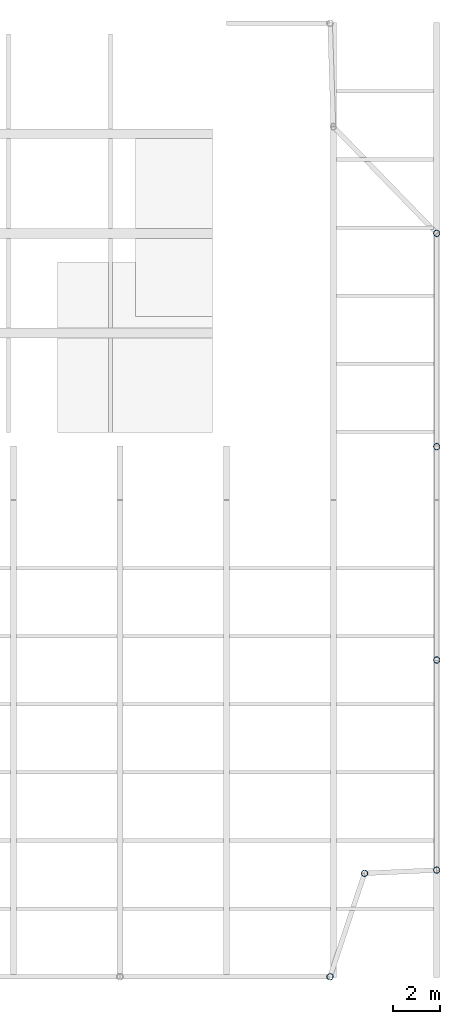
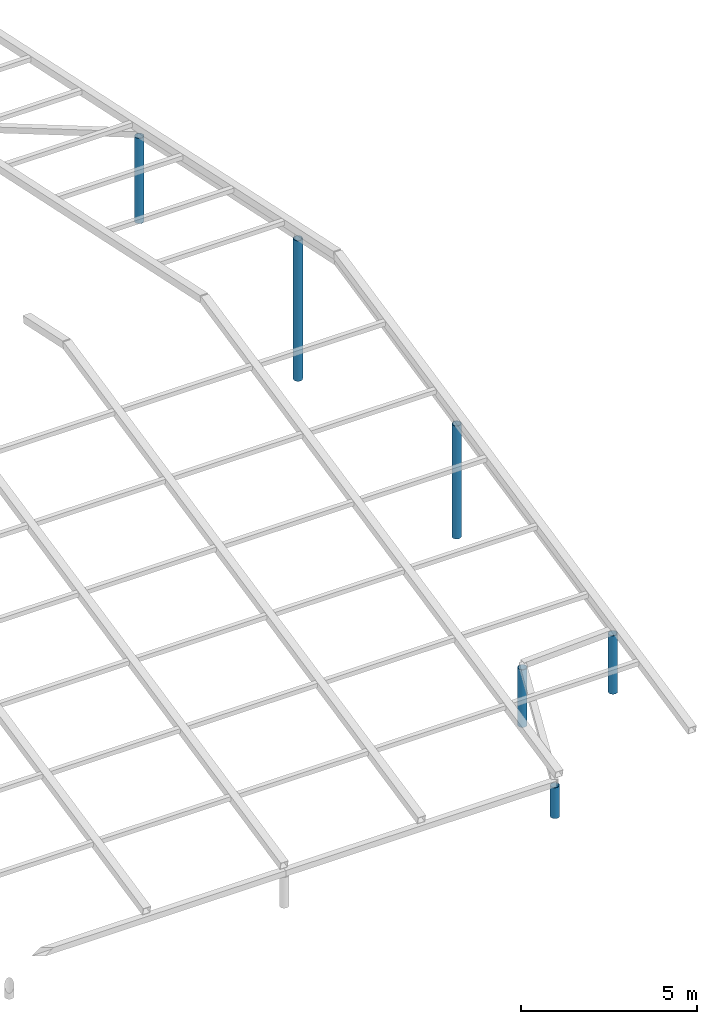
# One storey, part 3 of 7: 6 columns.
"""IFC4 building model written with IfcOpenShell, lengths in metres."""

from ifc_helpers import new_model, si_unit, direction, frame, origin, origin_2d, place, context, subcontext, project, spatial, hollow_circle, extrude, material, material_profile, profile_set, type_object, element, save


model = new_model("IFC4")

# Units and contexts
model_context = context("Model", 3, precision=1e-05, world=origin(), true_north=direction((0.0, 1.0)))
body_context = subcontext(model_context, "Body", "Model", "MODEL_VIEW")
ifc_project = project(units=[si_unit("LENGTHUNIT", "METRE"), si_unit("AREAUNIT", "SQUARE_METRE"), si_unit("VOLUMEUNIT", "CUBIC_METRE"), si_unit("PLANEANGLEUNIT", "RADIAN"), si_unit("MASSUNIT", "GRAM", prefix="KILO")], contexts=[model_context])

# Site, building, storey
site_placement = place(None, origin())
site = spatial("IfcSite", under=ifc_project, at=site_placement, CompositionType="ELEMENT")
building_placement = place(site_placement, origin())
building = spatial("IfcBuilding", under=site, at=building_placement, Name="Orbiselva Terraces", CompositionType="ELEMENT")
storey_placement = place(building_placement, frame((0.0, 0.0, 306.6)))
storey = spatial("IfcBuildingStorey", under=building, at=storey_placement, Name="ROOF STAIR AND LIFT HEAD HOUSES", CompositionType="ELEMENT", Elevation=306.6)

# Columns
ifc_material = material(Name="Steel ASTM A500 Grade C", Category="steel")
ifc_material_profile = material_profile(ifc_material, hollow_circle(Radius=0.13655, WallThickness=0.0127, at=origin_2d()), Name="HSS273.1X12.7")
ifc_profile_set = profile_set([ifc_material_profile], Name="Steel ASTM A500 Grade C")
column_type = type_object("IfcColumnType", Name="CANOPY COLUMN HSS273.1X12.7", PredefinedType="COLUMN", material=ifc_profile_set)
column_1_placement = place(storey_placement, frame((17.86345, -17.86345, 0.0), z_axis=(0.0, 0.0, 1.0), x_axis=(1.0, 0.0, 0.0)))
element("IfcColumn", 1, at=column_1_placement, inside=storey, type_object=column_type, Name="Canopy column L75-11 above +306.600", PredefinedType="COLUMN", context=body_context, shape_type="SweptSolid", body=[
    extrude(hollow_circle(Radius=0.13655, WallThickness=0.0127, at=origin_2d()), origin(), (0.0, 0.0, 1.0), 1.067554),
])
column_2_placement = place(storey_placement, frame((22.36345, -13.36345, 0.0), z_axis=(0.0, 0.0, 1.0), x_axis=(1.0, 0.0, 0.0)))
element("IfcColumn", 2, at=column_2_placement, inside=storey, type_object=column_type, Name="Canopy column L75-13 above +306.600", PredefinedType="COLUMN", context=body_context, shape_type="SweptSolid", body=[
    extrude(hollow_circle(Radius=0.13655, WallThickness=0.0127, at=origin_2d()), origin(), (0.0, 0.0, 1.0), 2.024059),
])
column_3_placement = place(storey_placement, frame((19.32, -13.5, 0.0), z_axis=(0.0, 0.0, 1.0), x_axis=(1.0, 0.0, 0.0)))
element("IfcColumn", 3, at=column_3_placement, inside=storey, type_object=column_type, Name="Canopy column L75-14 above +306.600", PredefinedType="COLUMN", context=body_context, shape_type="SweptSolid", body=[
    extrude(hollow_circle(Radius=0.13655, WallThickness=0.0127, at=origin_2d()), origin(), (0.0, 0.0, 1.0), 1.995034),
])
column_4_placement = place(storey_placement, frame((22.36345, -4.5, 0.0), z_axis=(0.0, 0.0, 1.0), x_axis=(1.0, 0.0, 0.0)))
element("IfcColumn", 4, at=column_4_placement, inside=storey, type_object=column_type, Name="Canopy column L75-15 above +306.600", PredefinedType="COLUMN", context=body_context, shape_type="SweptSolid", body=[
    extrude(hollow_circle(Radius=0.13655, WallThickness=0.0127, at=origin_2d()), origin(), (0.0, 0.0, 1.0), 3.908043),
])
column_5_placement = place(storey_placement, frame((22.36345, 13.5, 0.0), z_axis=(0.0, 0.0, 1.0), x_axis=(1.0, 0.0, 0.0)))
element("IfcColumn", 5, at=column_5_placement, inside=storey, type_object=column_type, Name="Canopy column L75-16 above +306.600", PredefinedType="COLUMN", context=body_context, shape_type="SweptSolid", body=[
    extrude(hollow_circle(Radius=0.13655, WallThickness=0.0127, at=origin_2d()), origin(), (0.0, 0.0, 1.0), 2.951539),
])
column_6_placement = place(storey_placement, frame((22.36345, 4.5, 0.0), z_axis=(0.0, 0.0, 1.0), x_axis=(1.0, 0.0, 0.0)))
element("IfcColumn", 6, at=column_6_placement, inside=storey, type_object=column_type, Name="Canopy column L75-18 above +306.600", PredefinedType="COLUMN", context=body_context, shape_type="SweptSolid", body=[
    extrude(hollow_circle(Radius=0.13655, WallThickness=0.0127, at=origin_2d()), origin(), (0.0, 0.0, 1.0), 4.864548),
])

save(model, "model.ifc")
